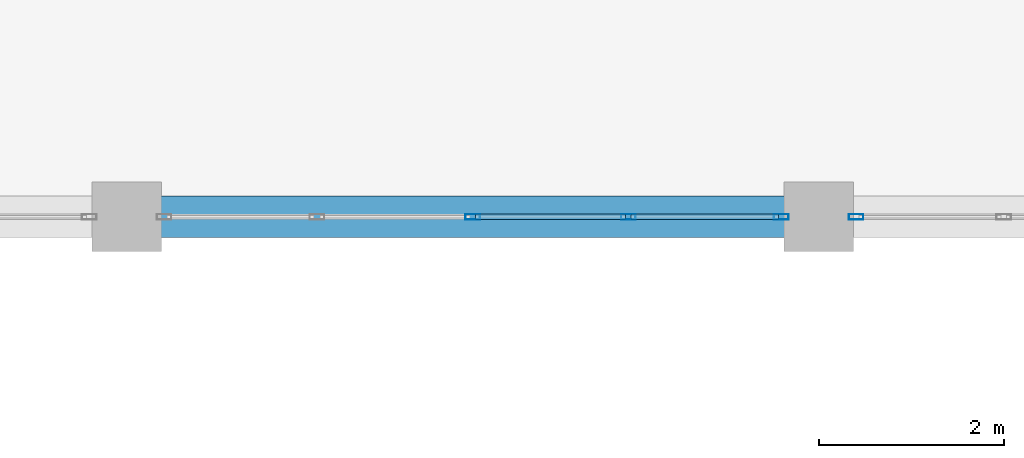
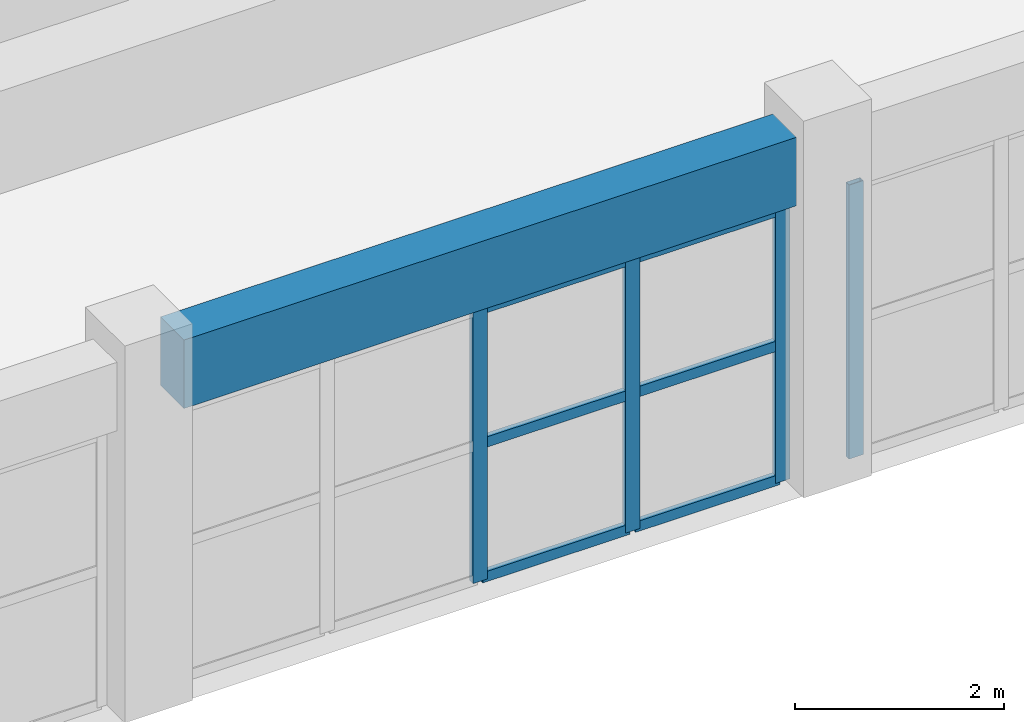
# One storey, part 38 of 116: 10 members, 1 beam, 2 elements without a shape of their own.
"""IFC4 building model written with IfcOpenShell, lengths in metres."""

import ifcopenshell
import ifcopenshell.guid

model = None  # the IFC model being written
_history = None  # IfcOwnerHistory: only IFC2X3 demands one
_inside = {}  # id of a spatial element -> (the spatial element, [elements in it])
_under = {}  # id of a project, library or spatial element -> (it, [spatial elements below it])
_declared = {}  # id of a project -> (the project, [libraries it declares])
_typed = {}  # id of a type object -> (the type object, [elements of that type])
_made_of = {}  # id of a material, layer set ... -> (it, [elements and type objects made of it])


def new_model(schema):
    """Start an empty IFC model of exactly this schema.

    Asked for "IFC4X3", IfcOpenShell would pick the latest addendum, in which some entities
    have other attributes; the version numbers below select the first issue.
    IFC2X3 requires an IfcOwnerHistory on every rooted entity: one is made here for all.
    """
    global model, _history
    if schema == "IFC4X3":
        model = ifcopenshell.file(schema_version=(4, 3, 0, 0))
    else:
        model = ifcopenshell.file(schema=schema)
    _inside.clear()
    _under.clear()
    _declared.clear()
    _typed.clear()
    _made_of.clear()
    _history = None
    if model.schema == "IFC2X3":
        org = make("IfcOrganization", Name="unknown")
        user = make(
            "IfcPersonAndOrganization",
            ThePerson=make("IfcPerson", FamilyName="unknown"),
            TheOrganization=org,
        )
        app = make(
            "IfcApplication",
            ApplicationDeveloper=org,
            Version="unknown",
            ApplicationFullName="unknown",
            ApplicationIdentifier="unknown",
        )
        _history = make(
            "IfcOwnerHistory",
            OwningUser=user,
            OwningApplication=app,
            ChangeAction="ADDED",
            CreationDate=0,
        )
    return model


def make(cls, **values):
    """One entity of the class cls with the attributes given. An attribute that is None is left unset."""
    return model.create_entity(
        cls, **{name: value for name, value in values.items() if value is not None}
    )


def rooted(cls, **values):
    """An entity with a GlobalId (a new one), such as an element, a storey or a relation."""
    return make(cls, GlobalId=ifcopenshell.guid.new(), OwnerHistory=_history, **values)


def si_unit(unit_type, name, prefix=None):
    """IfcSIUnit, for example si_unit("LENGTHUNIT", "METRE", prefix="MILLI")."""
    return make("IfcSIUnit", UnitType=unit_type, Prefix=prefix, Name=name)


def assignment(units):
    """IfcUnitAssignment: the units of a project."""
    return None if units is None else make("IfcUnitAssignment", Units=units)


def point(xyz):
    """IfcCartesianPoint."""
    return None if xyz is None else make("IfcCartesianPoint", Coordinates=xyz)


def direction(xyz):
    """IfcDirection."""
    return None if xyz is None else make("IfcDirection", DirectionRatios=xyz)


def frame(location, z_axis=None, x_axis=None):
    """IfcAxis2Placement3D, a coordinate frame: its origin and axes. An axis left out is left unset."""
    return make(
        "IfcAxis2Placement3D",
        Location=point(location),
        Axis=direction(z_axis),
        RefDirection=direction(x_axis),
    )


def frame_2d(location, x_axis=None):
    """IfcAxis2Placement2D, a coordinate frame in the plane: its origin and x axis."""
    return make(
        "IfcAxis2Placement2D", Location=point(location), RefDirection=direction(x_axis)
    )


def origin():
    """The frame at (0, 0, 0) with its axes left unset."""
    return frame((0.0, 0.0, 0.0))


def origin_2d():
    """The frame at (0, 0) in the plane with its x axis left unset."""
    return frame_2d((0.0, 0.0))


def place(relative_to, where):
    """IfcLocalPlacement: puts the frame where relative to a parent placement (None: the world)."""
    return make(
        "IfcLocalPlacement", PlacementRelTo=relative_to, RelativePlacement=where
    )


def context(
    kind, dimensions, precision=None, world=None, true_north=None, identifier=None
):
    """IfcGeometricRepresentationContext, for example the 3D "Model" context."""
    return make(
        "IfcGeometricRepresentationContext",
        ContextIdentifier=identifier,
        ContextType=kind,
        CoordinateSpaceDimension=dimensions,
        Precision=precision,
        WorldCoordinateSystem=world,
        TrueNorth=true_north,
    )


def subcontext(parent, identifier, kind, view, scale=None):
    """IfcGeometricRepresentationSubContext, for example "Body" below "Model"."""
    return make(
        "IfcGeometricRepresentationSubContext",
        ContextIdentifier=identifier,
        ContextType=kind,
        ParentContext=parent,
        TargetScale=scale,
        TargetView=view,
    )


def project(units=None, contexts=None):
    """IfcProject with its units and contexts."""
    return rooted(
        "IfcProject",
        Name="project",
        RepresentationContexts=contexts,
        UnitsInContext=assignment(units),
    )


def spatial(cls, under=None, at=None, **own):
    """A site, building, storey or space (cls), placed at a placement, below another one or the project."""
    s = rooted(cls, ObjectPlacement=at, **own)
    if under is not None:
        _under.setdefault(under.id(), (under, []))[1].append(s)
    return s


def profile(cls, at=None, kind="AREA", **sizes):
    """A parametric profile (cls). Its sizes go by their IFC names, for example OverallWidth=200.0."""
    return make(cls, ProfileType=kind, Position=at, **sizes)


def rectangle(**sizes):
    """IfcRectangleProfileDef."""
    return profile("IfcRectangleProfileDef", **sizes)


def hollow_rectangle(**sizes):
    """IfcRectangleHollowProfileDef."""
    return profile("IfcRectangleHollowProfileDef", **sizes)


def extrude(swept, where, along, depth):
    """IfcExtrudedAreaSolid: the profile swept, set in the frame where, extruded along a direction by depth."""
    return make(
        "IfcExtrudedAreaSolid",
        SweptArea=swept,
        Position=where,
        ExtrudedDirection=direction(along),
        Depth=depth,
    )


def shape(context_of_items, identifier, shape_type, items):
    """IfcShapeRepresentation: the items that make up one representation, for example the "Body"."""
    return make(
        "IfcShapeRepresentation",
        ContextOfItems=context_of_items,
        RepresentationIdentifier=identifier,
        RepresentationType=shape_type,
        Items=items,
    )


def material(Name=None, Category=None):
    """IfcMaterial."""
    return make("IfcMaterial", Name=Name, Category=Category)


def layer(
    of_material, thickness, ventilated=None, Name=None, Category=None, Priority=None
):
    """IfcMaterialLayer: one layer of a wall or slab, of a material (None: an air gap)."""
    return make(
        "IfcMaterialLayer",
        Material=of_material,
        LayerThickness=thickness,
        IsVentilated=ventilated,
        Name=Name,
        Category=Category,
        Priority=Priority,
    )


def layer_set(layers, Name=None):
    """IfcMaterialLayerSet."""
    return make("IfcMaterialLayerSet", MaterialLayers=layers, LayerSetName=Name)


def material_profile(
    of_material, cross_section, Name=None, Category=None, Priority=None
):
    """IfcMaterialProfile: a cross section and its material."""
    return make(
        "IfcMaterialProfile",
        Name=Name,
        Material=of_material,
        Profile=cross_section,
        Priority=Priority,
        Category=Category,
    )


def profile_set(profiles, Name=None, composite=None):
    """IfcMaterialProfileSet."""
    return make(
        "IfcMaterialProfileSet",
        Name=Name,
        MaterialProfiles=profiles,
        CompositeProfile=composite,
    )


def made_of(thing, what):
    """Note that an element or type object is made of a material, layer set ...; save() writes the relation."""
    if what is not None:
        _made_of.setdefault(what.id(), (what, []))[1].append(thing)
    return thing


def type_object(cls, material=None, **own):
    """A type object (cls), such as IfcWallType, which elements share."""
    return made_of(rooted(cls, **own), material)


def element(
    cls,
    number,
    at=None,
    inside=None,
    cuts=None,
    type_object=None,
    material=None,
    context=None,
    identifier="Body",
    shape_type=None,
    held_by="IfcProductDefinitionShape",
    body=None,
    shapes=None,
    **own,
):
    """One element of the class cls, such as IfcWall. Its Tag is "e" and its number.

    at: its placement. inside: the storey or other place that contains it. cuts: it is an
    opening in that element (IfcRelVoidsElement). A single representation is given by context,
    identifier, shape_type and body (its items); several are given by shapes. held_by: the class
    of the entity that holds the representations. save() writes the other relations.
    """
    e = rooted(cls, Tag="e%d" % number, ObjectPlacement=at, **own)
    if body is not None:
        shapes = [shape(context, identifier, shape_type, body)]
    if shapes is not None:
        e.Representation = make(held_by, Representations=shapes)
    if inside is not None:
        _inside.setdefault(inside.id(), (inside, []))[1].append(e)
    if cuts is not None:
        rooted(
            "IfcRelVoidsElement", RelatingBuildingElement=cuts, RelatedOpeningElement=e
        )
    if type_object is not None:
        _typed.setdefault(type_object.id(), (type_object, []))[1].append(e)
    return made_of(e, material)


def aggregate(whole, parts):
    """IfcRelAggregates: a whole, such as a stair, and the parts it consists of."""
    return rooted("IfcRelAggregates", RelatingObject=whole, RelatedObjects=parts)


def save(model, path):
    """Write the relations noted so far, then the file.

    IfcRelAggregates (storeys below a building ...), IfcRelContainedInSpatialStructure (elements
    in a storey), IfcRelDefinesByType, IfcRelAssociatesMaterial and IfcRelDeclares: one each for
    every whole, place, type object, material and project.
    """
    for whole, parts in _under.values():
        aggregate(whole, parts)
    for where, things in _inside.values():
        rooted(
            "IfcRelContainedInSpatialStructure",
            RelatedElements=things,
            RelatingStructure=where,
        )
    for kind, things in _typed.values():
        rooted("IfcRelDefinesByType", RelatedObjects=things, RelatingType=kind)
    for what, things in _made_of.values():
        rooted("IfcRelAssociatesMaterial", RelatedObjects=things, RelatingMaterial=what)
    for by, libraries in _declared.values():
        rooted("IfcRelDeclares", RelatingContext=by, RelatedDefinitions=libraries)
    model.write(path)


model = new_model("IFC4")

# Units and contexts
model_context = context("Model", 3, precision=1e-05, world=origin(), true_north=direction((0.0, 1.0)))
body_context = subcontext(model_context, "Body", "Model", "MODEL_VIEW")
ifc_project = project(units=[si_unit("LENGTHUNIT", "METRE"), si_unit("AREAUNIT", "SQUARE_METRE"), si_unit("VOLUMEUNIT", "CUBIC_METRE"), si_unit("PLANEANGLEUNIT", "RADIAN"), si_unit("MASSUNIT", "GRAM", prefix="KILO")], contexts=[model_context])

# Site, building, storey
site_placement = place(None, origin())
site = spatial("IfcSite", under=ifc_project, at=site_placement, CompositionType="ELEMENT")
building_placement = place(site_placement, origin())
building = spatial("IfcBuilding", under=site, at=building_placement, Name="Muzn Square Opera House", CompositionType="ELEMENT")
storey_placement = place(building_placement, frame((0.0, 0.0, 5.39990234375)))
storey = spatial("IfcBuildingStorey", under=building, at=storey_placement, Name="L01", CompositionType="ELEMENT", Elevation=5.39990234375)

# Curtain wall, members
ifc_material_1 = material(Name="Low-E laminated acoustic double glazing", Category="glass")
ifc_layer_1 = layer(ifc_material_1, 0.159912109375, Name="Low-E laminated acoustic double glazing", Category="glass")
ifc_layer_set_1 = layer_set([ifc_layer_1], Name="Low-E laminated acoustic double glazing")
curtain_wall_type_1 = type_object("IfcCurtainWallType", Name="Glazed Curtain Wall Forecourt 6750x3200", PredefinedType="USERDEFINED", material=ifc_layer_set_1)
curtain_wall_1_placement = place(storey_placement, origin())
curtain_wall_1 = element("IfcCurtainWall", 1, at=curtain_wall_1_placement, inside=storey, type_object=curtain_wall_type_1, Name="Glazed Curtain Wall CW-L01-007", ObjectType="GLAZED CURTAIN WALL", PredefinedType="USERDEFINED")
ifc_material_2 = material(Name="Anodised bronze aluminium 6063-T6", Category="metal")
ifc_material_profile_1 = material_profile(ifc_material_2, hollow_rectangle(XDim=0.06005859375, YDim=0.159912109375, WallThickness=0.00390625, at=origin_2d()), Name="ALU 160x60x4", Category="metal")
ifc_profile_set_1 = profile_set([ifc_material_profile_1], Name="Anodised bronze aluminium 6063-T6")
member_type_1 = type_object("IfcMemberType", Name="Curtain Wall Mullion 160x60", PredefinedType="MULLION", material=ifc_profile_set_1)
member_1_placement = place(storey_placement, frame((91.75, 22.0, 0.0), z_axis=(0.0, 0.0, 1.0), x_axis=(0.0, 1.0, 0.0)))
member_1 = element("IfcMember", 2, at=member_1_placement, type_object=member_type_1, Name="CW-FC-67x32 mullion 3", PredefinedType="MULLION", context=body_context, shape_type="SweptSolid", body=[
    extrude(hollow_rectangle(XDim=0.06005859375, YDim=0.159912109375, WallThickness=0.00390625, at=origin_2d()), origin(), (0.0, 0.0, 1.0), 3.2001953125),
])
member_2_placement = place(storey_placement, frame((93.4375, 22.0, 0.0), z_axis=(0.0, 0.0, 1.0), x_axis=(0.0, 1.0, 0.0)))
member_2 = element("IfcMember", 3, at=member_2_placement, type_object=member_type_1, Name="CW-FC-67x32 mullion 4", PredefinedType="MULLION", context=body_context, shape_type="SweptSolid", body=[
    extrude(hollow_rectangle(XDim=0.06005859375, YDim=0.159912109375, WallThickness=0.00390625, at=origin_2d()), origin(), (0.0, 0.0, 1.0), 3.2001953125),
])
member_3_placement = place(storey_placement, frame((95.094970703125, 22.0, 0.0), z_axis=(0.0, 0.0, 1.0), x_axis=(0.0, 1.0, 0.0)))
member_3 = element("IfcMember", 4, at=member_3_placement, type_object=member_type_1, Name="CW-FC-67x32 mullion 5", PredefinedType="MULLION", context=body_context, shape_type="SweptSolid", body=[
    extrude(hollow_rectangle(XDim=0.06005859375, YDim=0.159912109375, WallThickness=0.00390625, at=origin_2d()), origin(), (0.0, 0.0, 1.0), 3.2001953125),
])

# Curtain wall, member
ifc_layer_2 = layer(ifc_material_1, 0.159912109375, Name="Low-E laminated acoustic double glazing", Category="glass")
ifc_layer_set_2 = layer_set([ifc_layer_2], Name="Low-E laminated acoustic double glazing")
curtain_wall_type_2 = type_object("IfcCurtainWallType", Name="Glazed Curtain Wall Forecourt 6525x3200", PredefinedType="USERDEFINED", material=ifc_layer_set_2)
curtain_wall_2_placement = place(storey_placement, origin())
curtain_wall_2 = element("IfcCurtainWall", 5, at=curtain_wall_2_placement, inside=storey, type_object=curtain_wall_type_2, Name="Glazed Curtain Wall CW-L01-008", ObjectType="GLAZED CURTAIN WALL", PredefinedType="USERDEFINED")
member_4_placement = place(storey_placement, frame((95.905029296875, 22.0, 0.0), z_axis=(0.0, 0.0, 1.0), x_axis=(0.0, 1.0, 0.0)))
member_4 = element("IfcMember", 6, at=member_4_placement, type_object=member_type_1, Name="CW-FC-65x32 mullion 1", PredefinedType="MULLION", context=body_context, shape_type="SweptSolid", body=[
    extrude(hollow_rectangle(XDim=0.06005859375, YDim=0.159912109375, WallThickness=0.00390625, at=origin_2d()), origin(), (0.0, 0.0, 1.0), 3.2001953125),
])
aggregate(curtain_wall_2, [member_4])

# Member
ifc_material_profile_2 = material_profile(ifc_material_2, hollow_rectangle(XDim=0.06005859375, YDim=0.1201171875, WallThickness=0.00390625, at=origin_2d()), Name="ALU 120x60x4", Category="metal")
ifc_profile_set_2 = profile_set([ifc_material_profile_2], Name="Anodised bronze aluminium 6063-T6")
member_type_2 = type_object("IfcMemberType", Name="Curtain Wall Transom 120x60", PredefinedType="USERDEFINED", material=ifc_profile_set_2)
member_5_placement = place(storey_placement, frame((91.780029296875, 22.0, 0.030029296875), z_axis=(1.0, 0.0, 0.0), x_axis=(0.0, 1.0, 0.0)))
member_5 = element("IfcMember", 7, at=member_5_placement, type_object=member_type_2, Name="CW-FC-67x32 transom 3.1", ObjectType="TRANSOM", PredefinedType="USERDEFINED", context=body_context, shape_type="SweptSolid", body=[
    extrude(hollow_rectangle(XDim=0.06005859375, YDim=0.1201171875, WallThickness=0.00390625, at=origin_2d()), origin(), (0.0, 0.0, 1.0), 1.62744140625),
])

member_6_placement = place(storey_placement, frame((91.780029296875, 22.0, 1.60009765625), z_axis=(1.0, 0.0, 0.0), x_axis=(0.0, 1.0, 0.0)))
member_6 = element("IfcMember", 8, at=member_6_placement, type_object=member_type_2, Name="CW-FC-67x32 transom 3.2", ObjectType="TRANSOM", PredefinedType="USERDEFINED", context=body_context, shape_type="SweptSolid", body=[
    extrude(hollow_rectangle(XDim=0.06005859375, YDim=0.1201171875, WallThickness=0.00390625, at=origin_2d()), origin(), (0.0, 0.0, 1.0), 1.62744140625),
])

member_7_placement = place(storey_placement, frame((91.780029296875, 22.0, 3.170166015625), z_axis=(1.0, 0.0, 0.0), x_axis=(0.0, 1.0, 0.0)))
member_7 = element("IfcMember", 9, at=member_7_placement, type_object=member_type_2, Name="CW-FC-67x32 transom 3.3", ObjectType="TRANSOM", PredefinedType="USERDEFINED", context=body_context, shape_type="SweptSolid", body=[
    extrude(hollow_rectangle(XDim=0.06005859375, YDim=0.1201171875, WallThickness=0.00390625, at=origin_2d()), origin(), (0.0, 0.0, 1.0), 1.62744140625),
])

member_8_placement = place(storey_placement, frame((93.467529296875, 22.0, 0.030029296875), z_axis=(1.0, 0.0, 0.0), x_axis=(0.0, 1.0, 0.0)))
member_8 = element("IfcMember", 10, at=member_8_placement, type_object=member_type_2, Name="CW-FC-67x32 transom 4.1", ObjectType="TRANSOM", PredefinedType="USERDEFINED", context=body_context, shape_type="SweptSolid", body=[
    extrude(hollow_rectangle(XDim=0.06005859375, YDim=0.1201171875, WallThickness=0.00390625, at=origin_2d()), origin(), (0.0, 0.0, 1.0), 1.597412109375),
])

member_9_placement = place(storey_placement, frame((93.467529296875, 22.0, 1.60009765625), z_axis=(1.0, 0.0, 0.0), x_axis=(0.0, 1.0, 0.0)))
member_9 = element("IfcMember", 11, at=member_9_placement, type_object=member_type_2, Name="CW-FC-67x32 transom 4.2", ObjectType="TRANSOM", PredefinedType="USERDEFINED", context=body_context, shape_type="SweptSolid", body=[
    extrude(hollow_rectangle(XDim=0.06005859375, YDim=0.1201171875, WallThickness=0.00390625, at=origin_2d()), origin(), (0.0, 0.0, 1.0), 1.597412109375),
])

member_10_placement = place(storey_placement, frame((93.467529296875, 22.0, 3.170166015625), z_axis=(1.0, 0.0, 0.0), x_axis=(0.0, 1.0, 0.0)))
member_10 = element("IfcMember", 12, at=member_10_placement, type_object=member_type_2, Name="CW-FC-67x32 transom 4.3", ObjectType="TRANSOM", PredefinedType="USERDEFINED", context=body_context, shape_type="SweptSolid", body=[
    extrude(hollow_rectangle(XDim=0.06005859375, YDim=0.1201171875, WallThickness=0.00390625, at=origin_2d()), origin(), (0.0, 0.0, 1.0), 1.597412109375),
])

aggregate(curtain_wall_1, [member_1, member_2, member_3, member_5, member_6, member_7, member_8, member_9, member_10])

# Beam
ifc_material_3 = material(Name="Concrete C40/50", Category="concrete")
ifc_material_profile_3 = material_profile(ifc_material_3, rectangle(XDim=0.449951171875, YDim=0.800048828125, at=origin_2d()), Name="RCB 450x800", Category="concrete")
ifc_profile_set_3 = profile_set([ifc_material_profile_3], Name="Concrete C40/50")
beam_type = type_object("IfcBeamType", Name="Primary Girder 450x800", PredefinedType="BEAM", material=ifc_profile_set_3)
beam_placement = place(storey_placement, frame((88.366943359375, 22.0, 3.72021484375), z_axis=(1.0, 0.0, 0.0), x_axis=(0.0, 1.0, 0.0)))
element("IfcBeam", 13, at=beam_placement, inside=storey, type_object=beam_type, Name="Primary Girder BM-L01-BM-PG800-884_220_951_220-1285", PredefinedType="BEAM", context=body_context, shape_type="SweptSolid", body=[
    extrude(rectangle(XDim=0.449951171875, YDim=0.800048828125, at=origin_2d()), origin(), (0.0, 0.0, 1.0), 6.76611328125),
])

save(model, "model.ifc")
